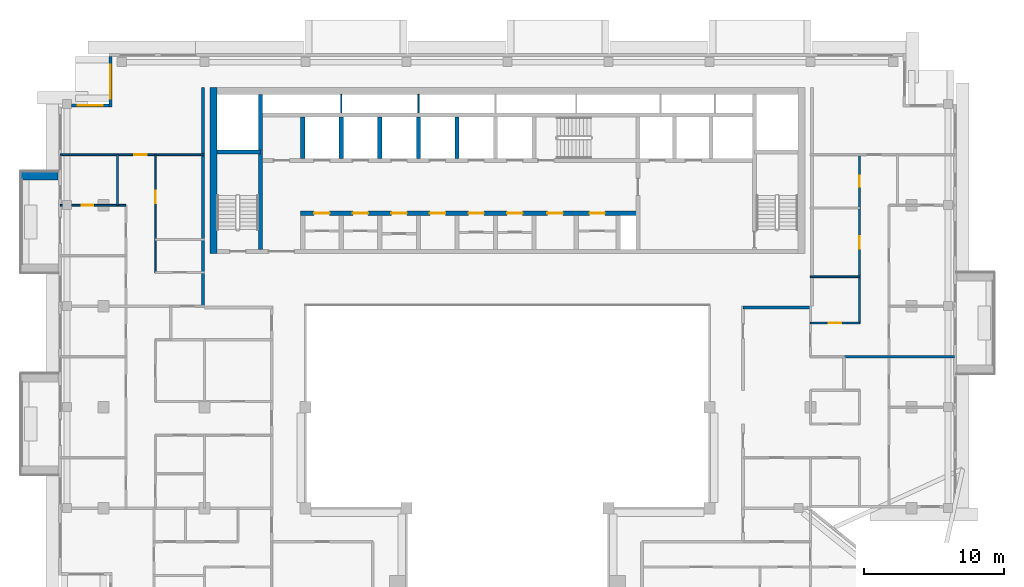
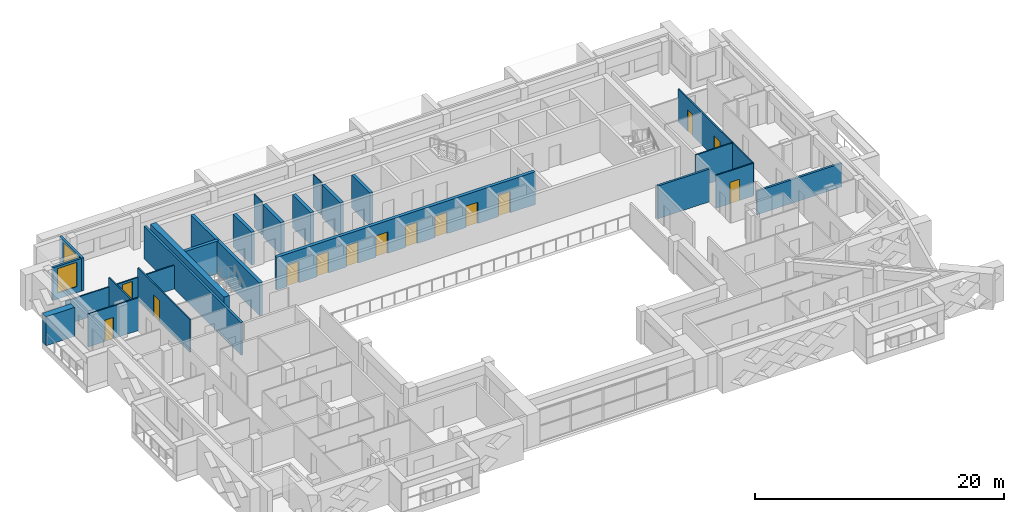
# One storey, part 10 of 19: 24 walls, 14 doors, 2 windows, 16 openings.
"""IFC4 building model written with IfcOpenShell, lengths in metres."""

from ifc_helpers import new_model, si_unit, direction, frame, frame_2d, origin, place, context, subcontext, project, spatial, rectangle, extrude, material, layer, layer_set, type_object, element, fill, save


model = new_model("IFC4")

# Units and contexts
model_context = context("Model", 3, precision=1e-05, world=origin(), true_north=direction((0.0, 1.0)))
body_context = subcontext(model_context, "Body", "Model", "MODEL_VIEW")
ifc_project = project(units=[si_unit("LENGTHUNIT", "METRE"), si_unit("AREAUNIT", "SQUARE_METRE"), si_unit("VOLUMEUNIT", "CUBIC_METRE"), si_unit("PLANEANGLEUNIT", "RADIAN"), si_unit("MASSUNIT", "GRAM", prefix="KILO")], contexts=[model_context])

# Site, building, storey
site_placement = place(None, origin())
site = spatial("IfcSite", under=ifc_project, at=site_placement, CompositionType="ELEMENT")
building_placement = place(site_placement, origin())
building = spatial("IfcBuilding", under=site, at=building_placement, Name="Saffron Iwan Residences", CompositionType="ELEMENT")
storey_placement = place(building_placement, frame((0.0, 0.0, 243.0)))
storey = spatial("IfcBuildingStorey", under=building, at=storey_placement, Name="L65", CompositionType="ELEMENT", Elevation=243.0)

# Wall
ifc_material_1 = material(Name="Concrete C50/60 white painted", Category="concrete")
ifc_layer_1 = layer(ifc_material_1, 0.60009765625)
ifc_layer_set_1 = layer_set([ifc_layer_1], Name="Concrete C50/60 white painted")
wall_type_1 = type_object("IfcWallType", Name="BALCONY FIN 600", PredefinedType="SOLIDWALL", material=ifc_layer_set_1)
wall_1_placement = place(storey_placement, frame((18.35009765625, 71.699951171875, 0.0), z_axis=(0.0, 0.0, 1.0), x_axis=(-1.0, 0.0, 0.0)))
element("IfcWall", 1, at=wall_1_placement, inside=storey, type_object=wall_type_1, Name="Balcony fin L65 F8-0a", PredefinedType="SOLIDWALL", context=body_context, shape_type="SweptSolid", body=[
    extrude(rectangle(XDim=2.650146484375, YDim=0.60009765625, at=frame_2d((1.3251953125, 0.0))), origin(), (0.0, 0.0, 1.0), 2.85009765625),
])

# Wall, opening, window
ifc_material_2 = material(Name="Concrete C40/50", Category="concrete")
ifc_layer_2 = layer(ifc_material_2, 0.199951171875)
ifc_layer_set_2 = layer_set([ifc_layer_2], Name="Concrete C40/50")
wall_type_2 = type_object("IfcWallType", Name="EXTERNAL WALL 200", PredefinedType="SOLIDWALL", material=ifc_layer_set_2)
wall_2_placement = place(storey_placement, frame((22.10009765625, 80.199951171875, 0.0), z_axis=(0.0, 0.0, 1.0), x_axis=(0.0, -1.0, 0.0)))
wall_2 = element("IfcWall", 2, at=wall_2_placement, inside=storey, type_object=wall_type_2, Name="External wall L65 F6.0", PredefinedType="SOLIDWALL", context=body_context, shape_type="SweptSolid", body=[
    extrude(rectangle(XDim=3.599853515625, YDim=0.199951171875, at=frame_2d((1.7998046875, 0.0))), origin(), (0.0, 0.0, 1.0), 3.219970703125),
])
opening_1_placement = place(wall_2_placement, frame((0.60009765625, 0.0, 0.60009765625)))
opening_1 = element("IfcOpeningElement", 3, at=opening_1_placement, cuts=wall_2, Name="Opening W1", PredefinedType="OPENING", context=body_context, shape_type="SweptSolid", body=[
    extrude(rectangle(XDim=2.39990234375, YDim=2.39990234375, at=frame_2d((1.199951171875, 1.199951171875))), frame((0.0, 0.10986328125, 0.0), z_axis=(0.0, -1.0, 0.0), x_axis=(1.0, 0.0, 0.0)), (0.0, 0.0, 1.0), 0.219970703125),
])
ifc_material_3 = material(Name="Clear glass, laminated double glazed", Category="glass")
window_type_1 = type_object("IfcWindowType", Name="WINDOW 2400 x 2400", PartitioningType="DOUBLE_PANEL_VERTICAL", PredefinedType="WINDOW", material=ifc_material_3)
window_1_placement = place(opening_1_placement, origin())
window_1 = element("IfcWindow", 4, at=window_1_placement, inside=storey, type_object=window_type_1, Name="Window L65 F6.0", OverallHeight=2.39990234375, OverallWidth=2.39990234375, PartitioningType="DOUBLE_PANEL_VERTICAL", PredefinedType="WINDOW", context=body_context, shape_type="SweptSolid", body=[
    extrude(rectangle(XDim=2.39990234375, YDim=2.39990234375, at=frame_2d((1.199951171875, 1.199951171875))), frame((0.0, 0.030029296875, 0.0), z_axis=(0.0, -1.0, 0.0), x_axis=(1.0, 0.0, 0.0)), (0.0, 0.0, 1.0), 0.06005859375),
])
fill(opening_1, window_1)

wall_3_placement = place(storey_placement, frame((22.0, 76.699951171875, 0.0), z_axis=(0.0, 0.0, 1.0), x_axis=(-1.0, 0.0, 0.0)))
wall_3 = element("IfcWall", 5, at=wall_3_placement, inside=storey, type_object=wall_type_2, Name="External wall L65 F7.0", PredefinedType="SOLIDWALL", context=body_context, shape_type="SweptSolid", body=[
    extrude(rectangle(XDim=2.675048828125, YDim=0.199951171875, at=frame_2d((1.33740234375, 0.0))), origin(), (0.0, 0.0, 1.0), 3.219970703125),
])
opening_2_placement = place(wall_3_placement, frame((0.4375, 0.0, 0.60009765625)))
opening_2 = element("IfcOpeningElement", 6, at=opening_2_placement, cuts=wall_3, Name="Opening W8", PredefinedType="OPENING", context=body_context, shape_type="SweptSolid", body=[
    extrude(rectangle(XDim=1.800048828125, YDim=2.39990234375, at=frame_2d((0.89990234375, 1.199951171875))), frame((0.0, 0.10986328125, 0.0), z_axis=(0.0, -1.0, 0.0), x_axis=(1.0, 0.0, 0.0)), (0.0, 0.0, 1.0), 0.219970703125),
])
window_type_2 = type_object("IfcWindowType", Name="WINDOW 1800 x 2400", PartitioningType="DOUBLE_PANEL_VERTICAL", PredefinedType="WINDOW", material=ifc_material_3)
window_2_placement = place(opening_2_placement, origin())
window_2 = element("IfcWindow", 7, at=window_2_placement, inside=storey, type_object=window_type_2, Name="Window L65 F7.0", OverallHeight=2.39990234375, OverallWidth=1.800048828125, PartitioningType="DOUBLE_PANEL_VERTICAL", PredefinedType="WINDOW", context=body_context, shape_type="SweptSolid", body=[
    extrude(rectangle(XDim=1.800048828125, YDim=2.39990234375, at=frame_2d((0.89990234375, 1.199951171875))), frame((0.0, 0.030029296875, 0.0), z_axis=(0.0, -1.0, 0.0), x_axis=(1.0, 0.0, 0.0)), (0.0, 0.0, 1.0), 0.06005859375),
])
fill(opening_2, window_2)

# Wall
ifc_material_4 = material(Name="Fire-rated gypsum board wall")
ifc_layer_3 = layer(ifc_material_4, 0.199951171875)
ifc_layer_set_3 = layer_set([ifc_layer_3], Name="Fire-rated gypsum board wall")
wall_type_3 = type_object("IfcWallType", Name="Flat demising wall 200", PredefinedType="SOLIDWALL", material=ifc_layer_set_3)
wall_4_placement = place(storey_placement, frame((74.39990234375, 58.800048828125, 0.0), z_axis=(0.0, 0.0, 1.0), x_axis=(1.0, 0.0, 0.0)))
element("IfcWall", 8, at=wall_4_placement, inside=storey, type_object=wall_type_3, Name="W-L65-DEMISE-h58.8-74.4", PredefinedType="SOLIDWALL", context=body_context, shape_type="SweptSolid", body=[
    extrude(rectangle(XDim=7.875, YDim=0.199951171875, at=frame_2d((3.9375, 0.0))), origin(), (0.0, 0.0, 1.0), 2.320068359375),
])

# Wall, opening, door
ifc_material_5 = material(Name="Gypsum board partition")
ifc_layer_4 = layer(ifc_material_5, 0.1201171875)
ifc_layer_set_4 = layer_set([ifc_layer_4], Name="Gypsum board partition")
wall_type_4 = type_object("IfcWallType", Name="Flat partition 120", PredefinedType="PARTITIONING", material=ifc_layer_set_4)
wall_5_placement = place(storey_placement, frame((72.0, 61.199951171875, 0.0), z_axis=(0.0, 0.0, 1.0), x_axis=(1.0, 0.0, 0.0)))
wall_5 = element("IfcWall", 9, at=wall_5_placement, inside=storey, type_object=wall_type_4, Name="W-L65-PART-h61.2-72", PredefinedType="PARTITIONING", context=body_context, shape_type="SweptSolid", body=[
    extrude(rectangle(XDim=3.5, YDim=0.1201171875, at=frame_2d((1.75, 0.0))), origin(), (0.0, 0.0, 1.0), 3.219970703125),
])
opening_3_placement = place(wall_5_placement, frame((1.300048828125, 0.0, 0.0)))
opening_3 = element("IfcOpeningElement", 10, at=opening_3_placement, cuts=wall_5, Name="Opening FD2", PredefinedType="OPENING", context=body_context, shape_type="SweptSolid", body=[
    extrude(rectangle(XDim=0.89990234375, YDim=2.10009765625, at=frame_2d((0.449951171875, 1.050048828125))), frame((0.0, 0.070068359375, 0.0), z_axis=(0.0, -1.0, 0.0), x_axis=(1.0, 0.0, 0.0)), (0.0, 0.0, 1.0), 0.14013671875),
])
ifc_material_6 = material(Name="Timber door", Category="wood")
door_type_1 = type_object("IfcDoorType", Name="Flat door 900", OperationType="NOTDEFINED", PredefinedType="DOOR", material=ifc_material_6)
door_1_placement = place(opening_3_placement, origin())
door_1 = element("IfcDoor", 11, at=door_1_placement, inside=storey, type_object=door_type_1, Name="Door L65-037", OperationType="SINGLE_SWING_LEFT", OverallHeight=2.10009765625, OverallWidth=0.89990234375, PredefinedType="DOOR", context=body_context, shape_type="SweptSolid", body=[
    extrude(rectangle(XDim=0.89990234375, YDim=2.10009765625, at=frame_2d((0.449951171875, 1.050048828125))), frame((0.0, 0.02490234375, 0.0), z_axis=(0.0, -1.0, 0.0), x_axis=(1.0, 0.0, 0.0)), (0.0, 0.0, 1.0), 0.050048828125),
])
fill(opening_3, door_1)

# Wall
wall_6_placement = place(storey_placement, frame((72.0, 64.5, 0.0), z_axis=(0.0, 0.0, 1.0), x_axis=(1.0, 0.0, 0.0)))
element("IfcWall", 12, at=wall_6_placement, inside=storey, type_object=wall_type_4, Name="W-L65-PART-h64.5-72", PredefinedType="PARTITIONING", context=body_context, shape_type="SweptSolid", body=[
    extrude(rectangle(XDim=3.5, YDim=0.1201171875, at=frame_2d((1.75, 0.0))), origin(), (0.0, 0.0, 1.0), 3.219970703125),
])

# Wall, opening, door
wall_7_placement = place(storey_placement, frame((18.52490234375, 69.60009765625, 0.0), z_axis=(0.0, 0.0, 1.0), x_axis=(1.0, 0.0, 0.0)))
wall_7 = element("IfcWall", 13, at=wall_7_placement, inside=storey, type_object=wall_type_4, Name="W-L65-PART-h69.6-18.525", PredefinedType="PARTITIONING", context=body_context, shape_type="SweptSolid", body=[
    extrude(rectangle(XDim=4.675048828125, YDim=0.1201171875, at=frame_2d((2.33740234375, 0.0))), origin(), (0.0, 0.0, 1.0), 3.219970703125),
])
opening_4_placement = place(wall_7_placement, frame((1.53759765625, 0.0, 0.0)))
opening_4 = element("IfcOpeningElement", 14, at=opening_4_placement, cuts=wall_7, Name="Opening FD3", PredefinedType="OPENING", context=body_context, shape_type="SweptSolid", body=[
    extrude(rectangle(XDim=0.800048828125, YDim=2.10009765625, at=frame_2d((0.39990234375, 1.050048828125))), frame((0.0, 0.070068359375, 0.0), z_axis=(0.0, -1.0, 0.0), x_axis=(1.0, 0.0, 0.0)), (0.0, 0.0, 1.0), 0.14013671875),
])
door_type_2 = type_object("IfcDoorType", Name="Bathroom door 800", OperationType="NOTDEFINED", PredefinedType="DOOR", material=ifc_material_6)
door_2_placement = place(opening_4_placement, origin())
door_2 = element("IfcDoor", 15, at=door_2_placement, inside=storey, type_object=door_type_2, Name="Door L65-027", OperationType="SINGLE_SWING_RIGHT", OverallHeight=2.10009765625, OverallWidth=0.800048828125, PredefinedType="DOOR", context=body_context, shape_type="SweptSolid", body=[
    extrude(rectangle(XDim=0.800048828125, YDim=2.10009765625, at=frame_2d((0.39990234375, 1.050048828125))), frame((0.0, 0.02490234375, 0.0), z_axis=(0.0, -1.0, 0.0), x_axis=(1.0, 0.0, 0.0)), (0.0, 0.0, 1.0), 0.050048828125),
])
fill(opening_4, door_2)

wall_8_placement = place(storey_placement, frame((18.52490234375, 73.199951171875, 0.0), z_axis=(0.0, 0.0, 1.0), x_axis=(1.0, 0.0, 0.0)))
wall_8 = element("IfcWall", 16, at=wall_8_placement, inside=storey, type_object=wall_type_4, Name="W-L65-PART-h73.2-18.525", PredefinedType="PARTITIONING", context=body_context, shape_type="SweptSolid", body=[
    extrude(rectangle(XDim=10.275146484375, YDim=0.1201171875, at=frame_2d((5.1376953125, 0.0))), origin(), (0.0, 0.0, 1.0), 2.320068359375),
])
opening_5_placement = place(wall_8_placement, frame((5.27490234375, 0.0, 0.0)))
opening_5 = element("IfcOpeningElement", 17, at=opening_5_placement, cuts=wall_8, Name="Opening FD2", PredefinedType="OPENING", context=body_context, shape_type="SweptSolid", body=[
    extrude(rectangle(XDim=0.89990234375, YDim=2.10009765625, at=frame_2d((0.449951171875, 1.050048828125))), frame((0.0, 0.070068359375, 0.0), z_axis=(0.0, -1.0, 0.0), x_axis=(1.0, 0.0, 0.0)), (0.0, 0.0, 1.0), 0.14013671875),
])
door_3_placement = place(opening_5_placement, origin())
door_3 = element("IfcDoor", 18, at=door_3_placement, inside=storey, type_object=door_type_1, Name="Door L65-028", OperationType="SINGLE_SWING_LEFT", OverallHeight=2.10009765625, OverallWidth=0.89990234375, PredefinedType="DOOR", context=body_context, shape_type="SweptSolid", body=[
    extrude(rectangle(XDim=0.89990234375, YDim=2.10009765625, at=frame_2d((0.449951171875, 1.050048828125))), frame((0.0, 0.02490234375, 0.0), z_axis=(0.0, -1.0, 0.0), x_axis=(1.0, 0.0, 0.0)), (0.0, 0.0, 1.0), 0.050048828125),
])
fill(opening_5, door_3)

# Wall
wall_9_placement = place(storey_placement, frame((22.60009765625, 69.60009765625, 0.0), z_axis=(0.0, 0.0, 1.0), x_axis=(0.0, 1.0, 0.0)))
element("IfcWall", 19, at=wall_9_placement, inside=storey, type_object=wall_type_4, Name="W-L65-PART-v22.6-69.6", PredefinedType="PARTITIONING", context=body_context, shape_type="SweptSolid", body=[
    extrude(rectangle(XDim=3.599853515625, YDim=0.1201171875, at=frame_2d((1.7998046875, 0.0))), origin(), (0.0, 0.0, 1.0), 3.219970703125),
])

# Wall, opening, door
wall_10_placement = place(storey_placement, frame((25.300048828125, 64.800048828125, 0.0), z_axis=(0.0, 0.0, 1.0), x_axis=(0.0, 1.0, 0.0)))
wall_10 = element("IfcWall", 20, at=wall_10_placement, inside=storey, type_object=wall_type_4, Name="W-L65-PART-v25.3-64.8", PredefinedType="PARTITIONING", context=body_context, shape_type="SweptSolid", body=[
    extrude(rectangle(XDim=8.39990234375, YDim=0.1201171875, at=frame_2d((4.199951171875, 0.0))), origin(), (0.0, 0.0, 1.0), 3.219970703125),
])
opening_6_placement = place(wall_10_placement, frame((4.925048828125, 0.0, 0.0)))
opening_6 = element("IfcOpeningElement", 21, at=opening_6_placement, cuts=wall_10, Name="Opening FD2", PredefinedType="OPENING", context=body_context, shape_type="SweptSolid", body=[
    extrude(rectangle(XDim=0.89990234375, YDim=2.10009765625, at=frame_2d((0.449951171875, 1.050048828125))), frame((0.0, 0.070068359375, 0.0), z_axis=(0.0, -1.0, 0.0), x_axis=(1.0, 0.0, 0.0)), (0.0, 0.0, 1.0), 0.14013671875),
])
door_4_placement = place(opening_6_placement, origin())
door_4 = element("IfcDoor", 22, at=door_4_placement, inside=storey, type_object=door_type_1, Name="Door L65-030", OperationType="SINGLE_SWING_LEFT", OverallHeight=2.10009765625, OverallWidth=0.89990234375, PredefinedType="DOOR", context=body_context, shape_type="SweptSolid", body=[
    extrude(rectangle(XDim=0.89990234375, YDim=2.10009765625, at=frame_2d((0.449951171875, 1.050048828125))), frame((0.0, 0.02490234375, 0.0), z_axis=(0.0, -1.0, 0.0), x_axis=(1.0, 0.0, 0.0)), (0.0, 0.0, 1.0), 0.050048828125),
])
fill(opening_6, door_4)

# Wall, openings, doors
wall_11_placement = place(storey_placement, frame((75.5, 61.199951171875, 0.0), z_axis=(0.0, 0.0, 1.0), x_axis=(0.0, 1.0, 0.0)))
wall_11 = element("IfcWall", 23, at=wall_11_placement, inside=storey, type_object=wall_type_4, Name="W-L65-PART-v75.5-61.2", PredefinedType="PARTITIONING", context=body_context, shape_type="SweptSolid", body=[
    extrude(rectangle(XDim=12.0, YDim=0.1201171875, at=frame_2d((6.0, 0.0))), origin(), (0.0, 0.0, 1.0), 3.219970703125),
])
opening_7_placement = place(wall_11_placement, frame((5.300048828125, 0.0, 0.0)))
opening_7 = element("IfcOpeningElement", 24, at=opening_7_placement, cuts=wall_11, Name="Opening FD2", PredefinedType="OPENING", context=body_context, shape_type="SweptSolid", body=[
    extrude(rectangle(XDim=0.89990234375, YDim=2.10009765625, at=frame_2d((0.449951171875, 1.050048828125))), frame((0.0, 0.070068359375, 0.0), z_axis=(0.0, -1.0, 0.0), x_axis=(1.0, 0.0, 0.0)), (0.0, 0.0, 1.0), 0.14013671875),
])
opening_8_placement = place(wall_11_placement, frame((9.699951171875, 0.0, 0.0)))
opening_8 = element("IfcOpeningElement", 25, at=opening_8_placement, cuts=wall_11, Name="Opening FD3", PredefinedType="OPENING", context=body_context, shape_type="SweptSolid", body=[
    extrude(rectangle(XDim=0.800048828125, YDim=2.10009765625, at=frame_2d((0.39990234375, 1.050048828125))), frame((0.0, 0.070068359375, 0.0), z_axis=(0.0, -1.0, 0.0), x_axis=(1.0, 0.0, 0.0)), (0.0, 0.0, 1.0), 0.14013671875),
])
door_5_placement = place(opening_8_placement, origin())
door_5 = element("IfcDoor", 26, at=door_5_placement, inside=storey, type_object=door_type_2, Name="Door L65-039", OperationType="SINGLE_SWING_LEFT", OverallHeight=2.10009765625, OverallWidth=0.800048828125, PredefinedType="DOOR", context=body_context, shape_type="SweptSolid", body=[
    extrude(rectangle(XDim=0.800048828125, YDim=2.10009765625, at=frame_2d((0.39990234375, 1.050048828125))), frame((0.0, 0.02490234375, 0.0), z_axis=(0.0, -1.0, 0.0), x_axis=(1.0, 0.0, 0.0)), (0.0, 0.0, 1.0), 0.050048828125),
])
fill(opening_8, door_5)
door_6_placement = place(opening_7_placement, origin())
door_6 = element("IfcDoor", 27, at=door_6_placement, inside=storey, type_object=door_type_1, Name="Door L65-038", OperationType="SINGLE_SWING_RIGHT", OverallHeight=2.10009765625, OverallWidth=0.89990234375, PredefinedType="DOOR", context=body_context, shape_type="SweptSolid", body=[
    extrude(rectangle(XDim=0.89990234375, YDim=2.10009765625, at=frame_2d((0.449951171875, 1.050048828125))), frame((0.0, 0.02490234375, 0.0), z_axis=(0.0, -1.0, 0.0), x_axis=(1.0, 0.0, 0.0)), (0.0, 0.0, 1.0), 0.050048828125),
])
fill(opening_7, door_6)

# Walls
ifc_layer_5 = layer(ifc_material_4, 0.199951171875)
ifc_layer_set_5 = layer_set([ifc_layer_5], Name="Fire-rated gypsum board wall")
wall_type_5 = type_object("IfcWallType", Name="Gallery wall 200", PredefinedType="SOLIDWALL", material=ifc_layer_set_5)
wall_12_placement = place(storey_placement, frame((67.199951171875, 62.300048828125, 0.0), z_axis=(0.0, 0.0, 1.0), x_axis=(1.0, 0.0, 0.0)))
element("IfcWall", 28, at=wall_12_placement, inside=storey, type_object=wall_type_5, Name="W-L65-CORR-h62.4-67.2", PredefinedType="SOLIDWALL", context=body_context, shape_type="SweptSolid", body=[
    extrude(rectangle(XDim=4.800048828125, YDim=0.199951171875, at=frame_2d((2.39990234375, 0.0))), origin(), (0.0, 0.0, 1.0), 3.219970703125),
])
wall_13_placement = place(storey_placement, frame((28.699951171875, 62.39990234375, 0.0), z_axis=(0.0, 0.0, 1.0), x_axis=(0.0, 1.0, 0.0)))
element("IfcWall", 29, at=wall_13_placement, inside=storey, type_object=wall_type_5, Name="W-L65-CORR-v28.8-62.4", PredefinedType="SOLIDWALL", context=body_context, shape_type="SweptSolid", body=[
    extrude(rectangle(XDim=15.60009765625, YDim=0.199951171875, at=frame_2d((7.800048828125, 0.0))), origin(), (0.0, 0.0, 1.0), 3.219970703125),
])
ifc_material_7 = material(Name="Fire-rated plasterboard partition")
ifc_layer_6 = layer(ifc_material_7, 0.10009765625)
ifc_layer_set_6 = layer_set([ifc_layer_6], Name="Fire-rated plasterboard partition")
wall_type_6 = type_object("IfcWallType", Name="Riser partition 100", PredefinedType="PARTITIONING", material=ifc_layer_set_6)
for number, where, z_axis, x_axis, name in (
    (30, (38.550048828125, 76.175048828125, 0.0), (0.0, 0.0, 1.0), (0.0, 1.0, 0.0), "Core partition P07"),
    (31, (44.050048828125, 76.175048828125, 0.0), (0.0, 0.0, 1.0), (0.0, 1.0, 0.0), "Core partition P08"),
):
    element("IfcWall", number, at=place(storey_placement, frame(where, z_axis=z_axis, x_axis=x_axis)), inside=storey, type_object=wall_type_6, Name=name, PredefinedType="PARTITIONING", context=body_context, shape_type="SweptSolid", body=[
        extrude(rectangle(XDim=1.324951171875, YDim=0.10009765625, at=frame_2d((0.66259765625, 0.0))), origin(), (0.0, 0.0, 1.0), 3.219970703125),
    ])

# Wall, openings, doors
ifc_layer_7 = layer(ifc_material_2, 0.300048828125)
ifc_layer_set_7 = layer_set([ifc_layer_7], Name="Concrete C40/50")
wall_type_7 = type_object("IfcWallType", Name="WALL CORE 300 C40/50 3220 HIGH", PredefinedType="SHEAR", material=ifc_layer_set_7)
wall_14_placement = place(storey_placement, frame((35.64990234375, 69.02490234375, 0.0), z_axis=(0.0, 0.0, 1.0), x_axis=(1.0, 0.0, 0.0)))
wall_14 = element("IfcWall", 32, at=wall_14_placement, inside=storey, type_object=wall_type_7, Name="Core wall", PredefinedType="SHEAR", context=body_context, shape_type="SweptSolid", body=[
    extrude(rectangle(XDim=24.050048828125, YDim=0.300048828125, at=frame_2d((12.02490234375, 0.0))), origin(), (0.0, 0.0, 1.0), 3.219970703125),
])
opening_9_placement = place(wall_14_placement, frame((0.97509765625, 0.0, 0.0)))
opening_9 = element("IfcOpeningElement", 33, at=opening_9_placement, cuts=wall_14, Name="Opening SR", PredefinedType="OPENING", context=body_context, shape_type="SweptSolid", body=[
    extrude(rectangle(XDim=1.10009765625, YDim=2.10009765625, at=frame_2d((0.550048828125, 1.050048828125))), frame((0.0, 0.16015625, 0.0), z_axis=(0.0, -1.0, 0.0), x_axis=(1.0, 0.0, 0.0)), (0.0, 0.0, 1.0), 0.320068359375),
])
opening_10_placement = place(wall_14_placement, frame((3.72509765625, 0.0, 0.0)))
opening_10 = element("IfcOpeningElement", 34, at=opening_10_placement, cuts=wall_14, Name="Opening SR", PredefinedType="OPENING", context=body_context, shape_type="SweptSolid", body=[
    extrude(rectangle(XDim=1.10009765625, YDim=2.10009765625, at=frame_2d((0.550048828125, 1.050048828125))), frame((0.0, 0.16015625, 0.0), z_axis=(0.0, -1.0, 0.0), x_axis=(1.0, 0.0, 0.0)), (0.0, 0.0, 1.0), 0.320068359375),
])
opening_11_placement = place(wall_14_placement, frame((6.47509765625, 0.0, 0.0)))
opening_11 = element("IfcOpeningElement", 35, at=opening_11_placement, cuts=wall_14, Name="Opening SR", PredefinedType="OPENING", context=body_context, shape_type="SweptSolid", body=[
    extrude(rectangle(XDim=1.10009765625, YDim=2.10009765625, at=frame_2d((0.550048828125, 1.050048828125))), frame((0.0, 0.16015625, 0.0), z_axis=(0.0, -1.0, 0.0), x_axis=(1.0, 0.0, 0.0)), (0.0, 0.0, 1.0), 0.320068359375),
])
opening_12_placement = place(wall_14_placement, frame((9.22509765625, 0.0, 0.0)))
opening_12 = element("IfcOpeningElement", 36, at=opening_12_placement, cuts=wall_14, Name="Opening SR", PredefinedType="OPENING", context=body_context, shape_type="SweptSolid", body=[
    extrude(rectangle(XDim=1.10009765625, YDim=2.10009765625, at=frame_2d((0.550048828125, 1.050048828125))), frame((0.0, 0.16015625, 0.0), z_axis=(0.0, -1.0, 0.0), x_axis=(1.0, 0.0, 0.0)), (0.0, 0.0, 1.0), 0.320068359375),
])
opening_13_placement = place(wall_14_placement, frame((11.97509765625, 0.0, 0.0)))
opening_13 = element("IfcOpeningElement", 37, at=opening_13_placement, cuts=wall_14, Name="Opening SR", PredefinedType="OPENING", context=body_context, shape_type="SweptSolid", body=[
    extrude(rectangle(XDim=1.10009765625, YDim=2.10009765625, at=frame_2d((0.550048828125, 1.050048828125))), frame((0.0, 0.16015625, 0.0), z_axis=(0.0, -1.0, 0.0), x_axis=(1.0, 0.0, 0.0)), (0.0, 0.0, 1.0), 0.320068359375),
])
opening_14_placement = place(wall_14_placement, frame((14.72509765625, 0.0, 0.0)))
opening_14 = element("IfcOpeningElement", 38, at=opening_14_placement, cuts=wall_14, Name="Opening SR", PredefinedType="OPENING", context=body_context, shape_type="SweptSolid", body=[
    extrude(rectangle(XDim=1.10009765625, YDim=2.10009765625, at=frame_2d((0.550048828125, 1.050048828125))), frame((0.0, 0.16015625, 0.0), z_axis=(0.0, -1.0, 0.0), x_axis=(1.0, 0.0, 0.0)), (0.0, 0.0, 1.0), 0.320068359375),
])
opening_15_placement = place(wall_14_placement, frame((17.60009765625, 0.0, 0.0)))
opening_15 = element("IfcOpeningElement", 39, at=opening_15_placement, cuts=wall_14, Name="Opening SR", PredefinedType="OPENING", context=body_context, shape_type="SweptSolid", body=[
    extrude(rectangle(XDim=1.10009765625, YDim=2.10009765625, at=frame_2d((0.550048828125, 1.050048828125))), frame((0.0, 0.16015625, 0.0), z_axis=(0.0, -1.0, 0.0), x_axis=(1.0, 0.0, 0.0)), (0.0, 0.0, 1.0), 0.320068359375),
])
opening_16_placement = place(wall_14_placement, frame((20.60009765625, 0.0, 0.0)))
opening_16 = element("IfcOpeningElement", 40, at=opening_16_placement, cuts=wall_14, Name="Opening SR", PredefinedType="OPENING", context=body_context, shape_type="SweptSolid", body=[
    extrude(rectangle(XDim=1.10009765625, YDim=2.10009765625, at=frame_2d((0.550048828125, 1.050048828125))), frame((0.0, 0.16015625, 0.0), z_axis=(0.0, -1.0, 0.0), x_axis=(1.0, 0.0, 0.0)), (0.0, 0.0, 1.0), 0.320068359375),
])
ifc_material_8 = material(Name="Steel fire door", Category="steel")
door_type_3 = type_object("IfcDoorType", Name="Service door 1100", OperationType="NOTDEFINED", PredefinedType="DOOR", material=ifc_material_8)
door_7_placement = place(opening_9_placement, origin())
door_7 = element("IfcDoor", 41, at=door_7_placement, inside=storey, type_object=door_type_3, Name="Door Maintenance store", OperationType="SINGLE_SWING_RIGHT", OverallHeight=2.10009765625, OverallWidth=1.10009765625, PredefinedType="DOOR", context=body_context, shape_type="SweptSolid", body=[
    extrude(rectangle(XDim=1.10009765625, YDim=2.10009765625, at=frame_2d((0.550048828125, 1.050048828125))), frame((0.0, 0.02490234375, 0.0), z_axis=(0.0, -1.0, 0.0), x_axis=(1.0, 0.0, 0.0)), (0.0, 0.0, 1.0), 0.050048828125),
])
fill(opening_9, door_7)
door_8_placement = place(opening_10_placement, origin())
door_8 = element("IfcDoor", 42, at=door_8_placement, inside=storey, type_object=door_type_3, Name="Door Linen store", OperationType="SINGLE_SWING_LEFT", OverallHeight=2.10009765625, OverallWidth=1.10009765625, PredefinedType="DOOR", context=body_context, shape_type="SweptSolid", body=[
    extrude(rectangle(XDim=1.10009765625, YDim=2.10009765625, at=frame_2d((0.550048828125, 1.050048828125))), frame((0.0, 0.02490234375, 0.0), z_axis=(0.0, -1.0, 0.0), x_axis=(1.0, 0.0, 0.0)), (0.0, 0.0, 1.0), 0.050048828125),
])
fill(opening_10, door_8)
door_9_placement = place(opening_11_placement, origin())
door_9 = element("IfcDoor", 43, at=door_9_placement, inside=storey, type_object=door_type_3, Name="Door Pantry", OperationType="SINGLE_SWING_RIGHT", OverallHeight=2.10009765625, OverallWidth=1.10009765625, PredefinedType="DOOR", context=body_context, shape_type="SweptSolid", body=[
    extrude(rectangle(XDim=1.10009765625, YDim=2.10009765625, at=frame_2d((0.550048828125, 1.050048828125))), frame((0.0, 0.02490234375, 0.0), z_axis=(0.0, -1.0, 0.0), x_axis=(1.0, 0.0, 0.0)), (0.0, 0.0, 1.0), 0.050048828125),
])
fill(opening_11, door_9)
door_10_placement = place(opening_12_placement, origin())
door_10 = element("IfcDoor", 44, at=door_10_placement, inside=storey, type_object=door_type_3, Name="Door Electrical room", OperationType="SINGLE_SWING_LEFT", OverallHeight=2.10009765625, OverallWidth=1.10009765625, PredefinedType="DOOR", context=body_context, shape_type="SweptSolid", body=[
    extrude(rectangle(XDim=1.10009765625, YDim=2.10009765625, at=frame_2d((0.550048828125, 1.050048828125))), frame((0.0, 0.02490234375, 0.0), z_axis=(0.0, -1.0, 0.0), x_axis=(1.0, 0.0, 0.0)), (0.0, 0.0, 1.0), 0.050048828125),
])
fill(opening_12, door_10)
door_11_placement = place(opening_13_placement, origin())
door_11 = element("IfcDoor", 45, at=door_11_placement, inside=storey, type_object=door_type_3, Name="Door Luggage store", OperationType="SINGLE_SWING_RIGHT", OverallHeight=2.10009765625, OverallWidth=1.10009765625, PredefinedType="DOOR", context=body_context, shape_type="SweptSolid", body=[
    extrude(rectangle(XDim=1.10009765625, YDim=2.10009765625, at=frame_2d((0.550048828125, 1.050048828125))), frame((0.0, 0.02490234375, 0.0), z_axis=(0.0, -1.0, 0.0), x_axis=(1.0, 0.0, 0.0)), (0.0, 0.0, 1.0), 0.050048828125),
])
fill(opening_13, door_11)
door_12_placement = place(opening_14_placement, origin())
door_12 = element("IfcDoor", 46, at=door_12_placement, inside=storey, type_object=door_type_3, Name="Door Refuse store", OperationType="SINGLE_SWING_LEFT", OverallHeight=2.10009765625, OverallWidth=1.10009765625, PredefinedType="DOOR", context=body_context, shape_type="SweptSolid", body=[
    extrude(rectangle(XDim=1.10009765625, YDim=2.10009765625, at=frame_2d((0.550048828125, 1.050048828125))), frame((0.0, 0.02490234375, 0.0), z_axis=(0.0, -1.0, 0.0), x_axis=(1.0, 0.0, 0.0)), (0.0, 0.0, 1.0), 0.050048828125),
])
fill(opening_14, door_12)
door_13_placement = place(opening_15_placement, origin())
door_13 = element("IfcDoor", 47, at=door_13_placement, inside=storey, type_object=door_type_3, Name="Door Housekeeping store", OperationType="SINGLE_SWING_RIGHT", OverallHeight=2.10009765625, OverallWidth=1.10009765625, PredefinedType="DOOR", context=body_context, shape_type="SweptSolid", body=[
    extrude(rectangle(XDim=1.10009765625, YDim=2.10009765625, at=frame_2d((0.550048828125, 1.050048828125))), frame((0.0, 0.02490234375, 0.0), z_axis=(0.0, -1.0, 0.0), x_axis=(1.0, 0.0, 0.0)), (0.0, 0.0, 1.0), 0.050048828125),
])
fill(opening_15, door_13)
door_14_placement = place(opening_16_placement, origin())
door_14 = element("IfcDoor", 48, at=door_14_placement, inside=storey, type_object=door_type_3, Name="Door Cleaner's store", OperationType="SINGLE_SWING_RIGHT", OverallHeight=2.10009765625, OverallWidth=1.10009765625, PredefinedType="DOOR", context=body_context, shape_type="SweptSolid", body=[
    extrude(rectangle(XDim=1.10009765625, YDim=2.10009765625, at=frame_2d((0.550048828125, 1.050048828125))), frame((0.0, 0.02490234375, 0.0), z_axis=(0.0, -1.0, 0.0), x_axis=(1.0, 0.0, 0.0)), (0.0, 0.0, 1.0), 0.050048828125),
])
fill(opening_16, door_14)

# Walls
wall_15_placement = place(storey_placement, frame((29.699951171875, 73.39990234375, 0.0), z_axis=(0.0, 0.0, 1.0), x_axis=(1.0, 0.0, 0.0)))
element("IfcWall", 49, at=wall_15_placement, inside=storey, type_object=wall_type_7, Name="Core wall", PredefinedType="SHEAR", context=body_context, shape_type="SweptSolid", body=[
    extrude(rectangle(XDim=3.10009765625, YDim=0.300048828125, at=frame_2d((1.550048828125, 0.0))), origin(), (0.0, 0.0, 1.0), 3.219970703125),
])
wall_16_placement = place(storey_placement, frame((32.800048828125, 66.449951171875, 0.0), z_axis=(0.0, 0.0, 1.0), x_axis=(0.0, 1.0, 0.0)))
element("IfcWall", 50, at=wall_16_placement, inside=storey, type_object=wall_type_7, Name="Core wall", PredefinedType="SHEAR", context=body_context, shape_type="SweptSolid", body=[
    extrude(rectangle(XDim=11.050048828125, YDim=0.300048828125, at=frame_2d((5.52490234375, 0.0))), origin(), (0.0, 0.0, 1.0), 3.219970703125),
])
for number, where, z_axis, x_axis, name in (
    (51, (35.800048828125, 72.925048828125, 0.0), (0.0, 0.0, 1.0), (0.0, 1.0, 0.0), "Core wall"),
    (52, (38.550048828125, 72.925048828125, 0.0), (0.0, 0.0, 1.0), (0.0, 1.0, 0.0), "Core wall"),
    (53, (41.300048828125, 72.925048828125, 0.0), (0.0, 0.0, 1.0), (0.0, 1.0, 0.0), "Core wall"),
    (54, (44.050048828125, 72.925048828125, 0.0), (0.0, 0.0, 1.0), (0.0, 1.0, 0.0), "Core wall"),
    (55, (46.800048828125, 72.925048828125, 0.0), (0.0, 0.0, 1.0), (0.0, 1.0, 0.0), "Core wall"),
):
    element("IfcWall", number, at=place(storey_placement, frame(where, z_axis=z_axis, x_axis=x_axis)), inside=storey, type_object=wall_type_7, Name=name, PredefinedType="SHEAR", context=body_context, shape_type="SweptSolid", body=[
        extrude(rectangle(XDim=2.949951171875, YDim=0.300048828125, at=frame_2d((1.47509765625, 0.0))), origin(), (0.0, 0.0, 1.0), 3.219970703125),
    ])
ifc_layer_8 = layer(ifc_material_2, 0.5)
ifc_layer_set_8 = layer_set([ifc_layer_8], Name="Concrete C40/50")
wall_type_8 = type_object("IfcWallType", Name="WALL CORE 500 C40/50 3220 HIGH", PredefinedType="SHEAR", material=ifc_layer_set_8)
wall_17_placement = place(storey_placement, frame((29.449951171875, 66.14990234375, 0.0), z_axis=(0.0, 0.0, 1.0), x_axis=(0.0, 1.0, 0.0)))
element("IfcWall", 56, at=wall_17_placement, inside=storey, type_object=wall_type_8, Name="Core wall", PredefinedType="SHEAR", context=body_context, shape_type="SweptSolid", body=[
    extrude(rectangle(XDim=11.85009765625, YDim=0.5, at=frame_2d((5.925048828125, 0.0))), origin(), (0.0, 0.0, 1.0), 3.219970703125),
])

save(model, "model.ifc")
